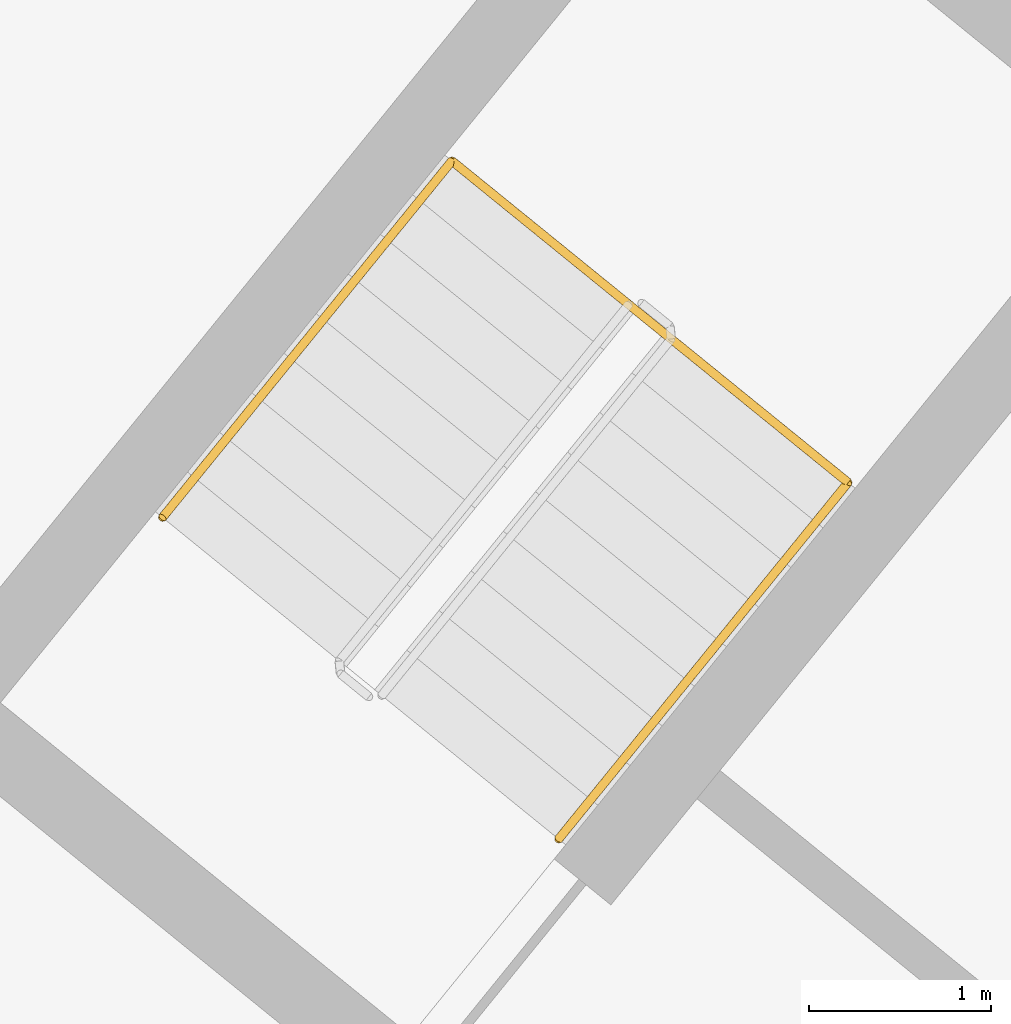
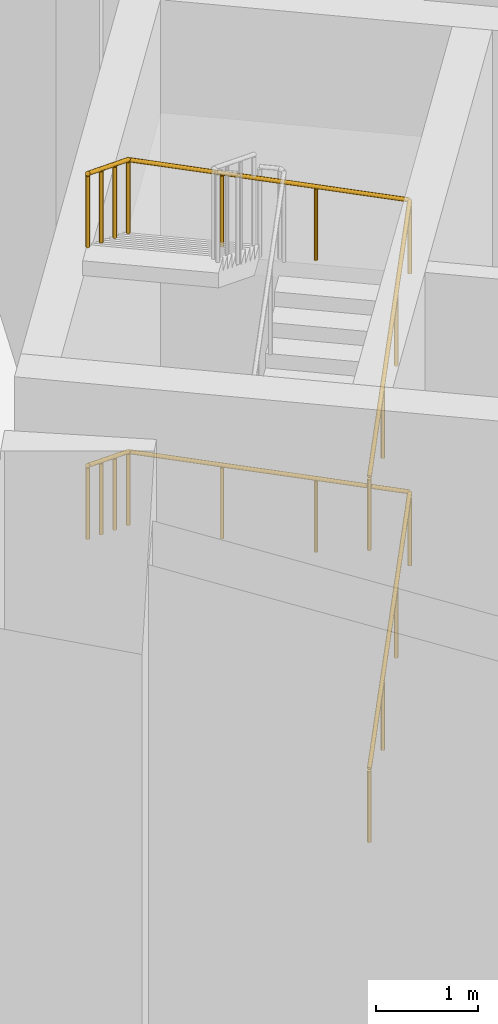
# One storey, part 59 of 60: 2 railings.
"""IFC4 building model written with IfcOpenShell, lengths in metres."""

from ifc_helpers import new_model, si_unit, direction, frame, origin, origin_2d, place, context, subcontext, project, spatial, circle, extrude, material, type_object, element, save


model = new_model("IFC4")

# Units and contexts
model_context = context("Model", 3, precision=1e-05, world=origin(), true_north=direction((0.0, 1.0)))
body_context = subcontext(model_context, "Body", "Model", "MODEL_VIEW")
ifc_project = project(units=[si_unit("LENGTHUNIT", "METRE"), si_unit("AREAUNIT", "SQUARE_METRE"), si_unit("VOLUMEUNIT", "CUBIC_METRE"), si_unit("PLANEANGLEUNIT", "RADIAN"), si_unit("MASSUNIT", "GRAM", prefix="KILO")], contexts=[model_context])

# Site, building, storey
site_placement = place(None, origin())
site = spatial("IfcSite", under=ifc_project, at=site_placement, CompositionType="ELEMENT")
building_placement = place(site_placement, origin())
building = spatial("IfcBuilding", under=site, at=building_placement, Name="Stone Belt Terrace Tower", CompositionType="ELEMENT")
storey_placement = place(building_placement, origin())
storey = spatial("IfcBuildingStorey", under=building, at=storey_placement, Name="L00", CompositionType="ELEMENT", Elevation=0.0)

# Railings
ifc_material = material(Name="Structural steel C345", Category="steel")
railing_type = type_object("IfcRailingType", Name="Stair handrail 900", PredefinedType="HANDRAIL", material=ifc_material)
railing_1_placement = place(storey_placement, frame((30.36865234375, 37.494140625, 0.175048828125)))
element("IfcRailing", 1, at=railing_1_placement, inside=storey, type_object=railing_type, Name="L00 ST3B stair handrail 1", PredefinedType="HANDRAIL", context=body_context, shape_type="SweptSolid", body=[
    extrude(circle(Radius=0.02392578125, at=origin_2d()), frame((0.0, 0.0, 0.8759765625), z_axis=(0.534428608749, 0.658402900925, 0.529992152965), x_axis=(-0.776416184284, 0.630220523929, 0.0)), (0.0, 0.0, 1.0), 2.9716796875),
    extrude(circle(Radius=0.02392578125, at=origin_2d()), frame((1.588134765625, 1.95654296875, 2.45068359375), z_axis=(-0.774913182805, 0.628980627211, 0.062393346667), x_axis=(-0.630208502084, -0.776425942316, 0.0)), (0.0, 0.0, 1.0), 2.8056640625),
    extrude(circle(Radius=0.02392578125, at=origin_2d()), frame((-0.5859375, 3.72119140625, 2.6259765625), z_axis=(-0.534428608749, -0.658402900925, 0.529992152965), x_axis=(0.776416184284, -0.630220523929, 0.0)), (0.0, 0.0, 1.0), 2.9716796875),
    extrude(circle(Radius=0.02099609375, at=origin_2d()), origin(), (0.0, 0.0, 1.0), 0.851806640625),
    extrude(circle(Radius=0.02099609375, at=origin_2d()), frame((0.529296875, 0.652099609375, 0.52490234375)), (0.0, 0.0, 1.0), 0.851806640625),
    extrude(circle(Radius=0.02099609375, at=origin_2d()), frame((1.058837890625, 1.304443359375, 1.050048828125)), (0.0, 0.0, 1.0), 0.851806640625),
    extrude(circle(Radius=0.02099609375, at=origin_2d()), frame((1.588134765625, 1.95654296875, 1.574951171875)), (0.0, 0.0, 1.0), 0.851806640625),
    extrude(circle(Radius=0.02099609375, at=origin_2d()), frame((0.863525390625, 2.544677734375, 1.63330078125)), (0.0, 0.0, 1.0), 0.851806640625),
    extrude(circle(Radius=0.02099609375, at=origin_2d()), frame((0.138671875, 3.133056640625, 1.691650390625)), (0.0, 0.0, 1.0), 0.851806640625),
    extrude(circle(Radius=0.02099609375, at=origin_2d()), frame((-0.5859375, 3.72119140625, 1.75)), (0.0, 0.0, 1.0), 0.851806640625),
    extrude(circle(Radius=0.02099609375, at=origin_2d()), frame((-1.115234375, 3.069091796875, 2.27490234375)), (0.0, 0.0, 1.0), 0.851806640625),
    extrude(circle(Radius=0.02099609375, at=origin_2d()), frame((-1.644775390625, 2.416748046875, 2.800048828125)), (0.0, 0.0, 1.0), 0.851806640625),
    extrude(circle(Radius=0.02099609375, at=origin_2d()), frame((-2.174072265625, 1.7646484375, 3.324951171875)), (0.0, 0.0, 1.0), 0.851806640625),
])
railing_2_placement = place(storey_placement, frame((30.36865234375, 37.494140625, 3.675048828125)))
element("IfcRailing", 2, at=railing_2_placement, inside=storey, type_object=railing_type, Name="L00 ST3B stair handrail 2", PredefinedType="HANDRAIL", context=body_context, shape_type="SweptSolid", body=[
    extrude(circle(Radius=0.02392578125, at=origin_2d()), frame((0.0, 0.0, 0.8759765625), z_axis=(0.534428608749, 0.658402900925, 0.529992152965), x_axis=(-0.776416184284, 0.630220523929, 0.0)), (0.0, 0.0, 1.0), 2.9716796875),
    extrude(circle(Radius=0.02392578125, at=origin_2d()), frame((1.588134765625, 1.95654296875, 2.45068359375), z_axis=(-0.774913182805, 0.628980627211, 0.062393346667), x_axis=(-0.630208502084, -0.776425942316, 0.0)), (0.0, 0.0, 1.0), 2.8056640625),
    extrude(circle(Radius=0.02392578125, at=origin_2d()), frame((-0.5859375, 3.72119140625, 2.6259765625), z_axis=(-0.534428608749, -0.658402900925, 0.529992152965), x_axis=(0.776416184284, -0.630220523929, 0.0)), (0.0, 0.0, 1.0), 2.9716796875),
    extrude(circle(Radius=0.02099609375, at=origin_2d()), origin(), (0.0, 0.0, 1.0), 0.851806640625),
    extrude(circle(Radius=0.02099609375, at=origin_2d()), frame((0.529296875, 0.652099609375, 0.52490234375)), (0.0, 0.0, 1.0), 0.851806640625),
    extrude(circle(Radius=0.02099609375, at=origin_2d()), frame((1.058837890625, 1.304443359375, 1.050048828125)), (0.0, 0.0, 1.0), 0.851806640625),
    extrude(circle(Radius=0.02099609375, at=origin_2d()), frame((1.588134765625, 1.95654296875, 1.574951171875)), (0.0, 0.0, 1.0), 0.851806640625),
    extrude(circle(Radius=0.02099609375, at=origin_2d()), frame((0.863525390625, 2.544677734375, 1.63330078125)), (0.0, 0.0, 1.0), 0.851806640625),
    extrude(circle(Radius=0.02099609375, at=origin_2d()), frame((0.138671875, 3.133056640625, 1.691650390625)), (0.0, 0.0, 1.0), 0.851806640625),
    extrude(circle(Radius=0.02099609375, at=origin_2d()), frame((-0.5859375, 3.72119140625, 1.75)), (0.0, 0.0, 1.0), 0.851806640625),
    extrude(circle(Radius=0.02099609375, at=origin_2d()), frame((-1.115234375, 3.069091796875, 2.27490234375)), (0.0, 0.0, 1.0), 0.851806640625),
    extrude(circle(Radius=0.02099609375, at=origin_2d()), frame((-1.644775390625, 2.416748046875, 2.800048828125)), (0.0, 0.0, 1.0), 0.851806640625),
    extrude(circle(Radius=0.02099609375, at=origin_2d()), frame((-2.174072265625, 1.7646484375, 3.324951171875)), (0.0, 0.0, 1.0), 0.851806640625),
])

save(model, "model.ifc")
